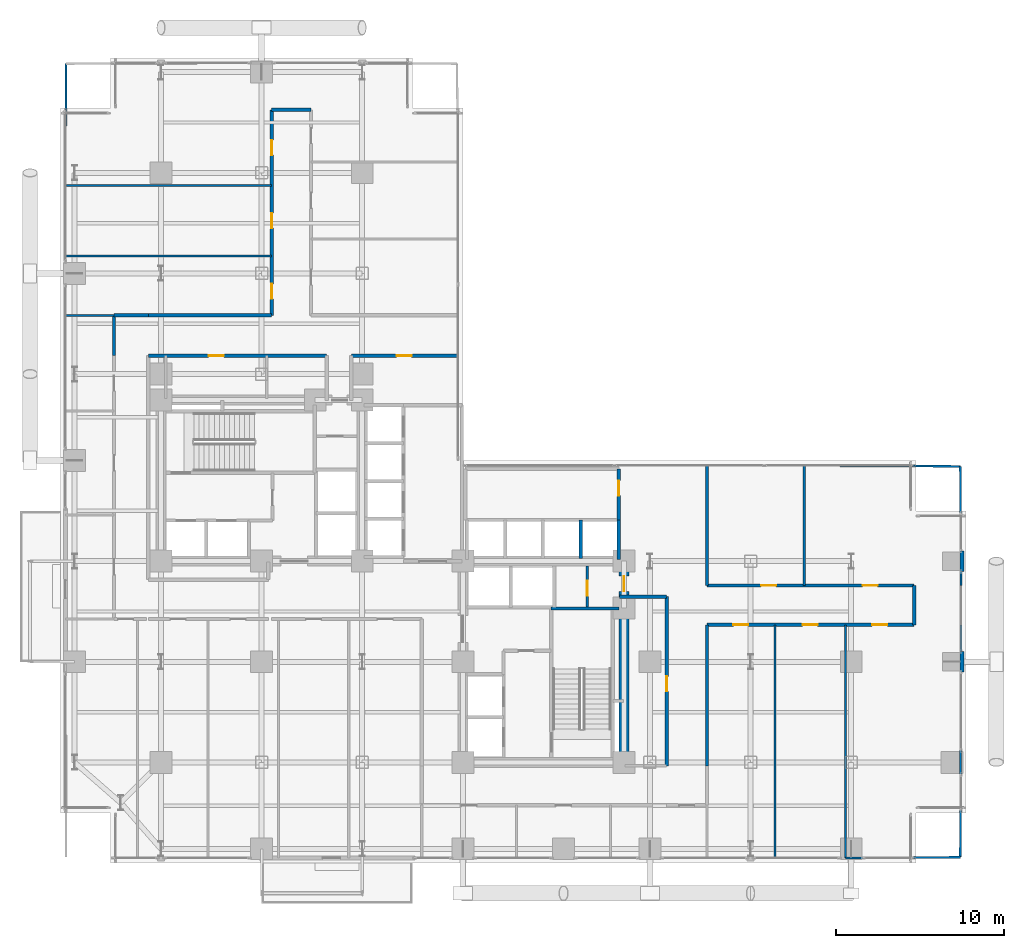
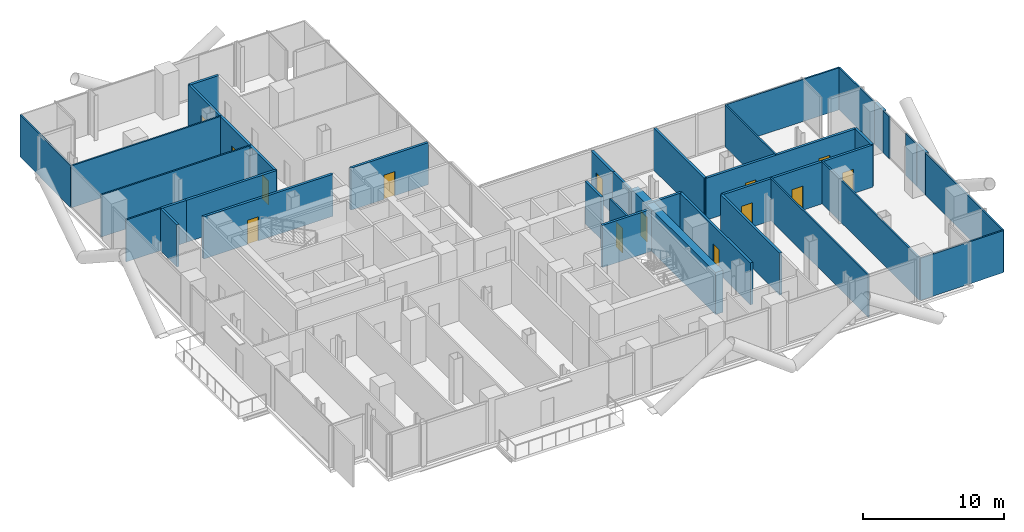
# One storey, part 22 of 25: 35 walls, 14 doors, 14 openings.
"""IFC4 building model written with IfcOpenShell, lengths in metres."""

from ifc_helpers import new_model, si_unit, direction, frame, frame_2d, origin, place, context, subcontext, project, spatial, rectangle, extrude, material, layer, layer_set, type_object, element, fill, save


model = new_model("IFC4")

# Units and contexts
model_context = context("Model", 3, precision=1e-05, world=origin(), true_north=direction((0.0, 1.0)))
body_context = subcontext(model_context, "Body", "Model", "MODEL_VIEW")
ifc_project = project(units=[si_unit("LENGTHUNIT", "METRE"), si_unit("AREAUNIT", "SQUARE_METRE"), si_unit("VOLUMEUNIT", "CUBIC_METRE"), si_unit("PLANEANGLEUNIT", "RADIAN"), si_unit("MASSUNIT", "GRAM", prefix="KILO"), si_unit("THERMODYNAMICTEMPERATUREUNIT", "KELVIN"), si_unit("POWERUNIT", "WATT")], contexts=[model_context])

# Site, building, storey
site_placement = place(None, origin())
site = spatial("IfcSite", under=ifc_project, at=site_placement, CompositionType="ELEMENT")
building_placement = place(site_placement, origin())
building = spatial("IfcBuilding", under=site, at=building_placement, Name="Svarakhadi Broadcast Tower", CompositionType="ELEMENT")
storey_placement = place(building_placement, frame((0.0, 0.0, 51.89990234375)))
storey = spatial("IfcBuildingStorey", under=building, at=storey_placement, Name="L11", CompositionType="ELEMENT", Elevation=51.89990234375)

# Wall, opening, door
ifc_material_1 = material(Name="Double-Stud Acoustic Studio Partition STC-62", Category="gypsum")
ifc_layer_1 = layer(ifc_material_1, 0.199951171875)
ifc_layer_set_1 = layer_set([ifc_layer_1], Name="Double-Stud Acoustic Studio Partition STC-62")
wall_type_1 = type_object("IfcWallType", Name="Wall_Acoust_200", PredefinedType="PARTITIONING", material=ifc_layer_set_1)
wall_1_placement = place(storey_placement, frame((36.14990234375, 5.800048828125, 0.0), z_axis=(0.0, 0.0, 1.0), x_axis=(0.0, 1.0, 0.0)))
wall_1 = element("IfcWall", 1, at=wall_1_placement, inside=storey, type_object=wall_type_1, Name="L11 Broadcast Corridor Wall", PredefinedType="PARTITIONING", context=body_context, shape_type="SweptSolid", body=[
    extrude(rectangle(XDim=10.079833984375, YDim=0.199951171875, at=frame_2d((5.0400390625, 0.0))), origin(), (0.0, 0.0, 1.0), 3.650146484375),
])
opening_1_placement = place(wall_1_placement, frame((4.429931640625, 0.0, 0.0)))
opening_1 = element("IfcOpeningElement", 2, at=opening_1_placement, cuts=wall_1, Name="Opening D-14", PredefinedType="OPENING", context=body_context, shape_type="SweptSolid", body=[
    extrude(rectangle(XDim=0.89990234375, YDim=2.10009765625, at=frame_2d((0.449951171875, 1.050048828125))), frame((0.0, 0.10986328125, 0.0), z_axis=(0.0, -1.0, 0.0), x_axis=(1.0, 0.0, 0.0)), (0.0, 0.0, 1.0), 0.219970703125),
])
ifc_material_2 = material(Name="Solid-Core Teak Veneer Acoustic Timber Leaf", Category="wood")
door_type_1 = type_object("IfcDoorType", Name="Door_Int_D14", OperationType="SINGLE_SWING_LEFT", PredefinedType="DOOR", material=ifc_material_2)
door_1_placement = place(opening_1_placement, origin())
door_1 = element("IfcDoor", 3, at=door_1_placement, inside=storey, type_object=door_type_1, Name="L11 Live Feed Monitoring Studio Door", OperationType="SINGLE_SWING_LEFT", OverallHeight=2.10009765625, OverallWidth=0.89990234375, PredefinedType="DOOR", context=body_context, shape_type="SweptSolid", body=[
    extrude(rectangle(XDim=0.89990234375, YDim=2.10009765625, at=frame_2d((0.449951171875, 1.050048828125))), frame((0.0, 0.02490234375, 0.0), z_axis=(0.0, -1.0, 0.0), x_axis=(1.0, 0.0, 0.0)), (0.0, 0.0, 1.0), 0.050048828125),
])
fill(opening_1, door_1)

# Walls
wall_2_placement = place(storey_placement, frame((36.14990234375, 15.8798828125, 0.0), z_axis=(0.0, 0.0, 1.0), x_axis=(-1.0, 0.0, 0.0)))
element("IfcWall", 4, at=wall_2_placement, inside=storey, type_object=wall_type_1, Name="L11 Broadcast Corridor Wall", PredefinedType="PARTITIONING", context=body_context, shape_type="SweptSolid", body=[
    extrude(rectangle(XDim=2.809814453125, YDim=0.199951171875, at=frame_2d((1.40478515625, 0.0))), origin(), (0.0, 0.0, 1.0), 3.650146484375),
])
wall_3_placement = place(storey_placement, frame((38.550048828125, 23.699951171875, 0.0), z_axis=(0.0, 0.0, 1.0), x_axis=(0.0, -1.0, 0.0)))
element("IfcWall", 5, at=wall_3_placement, inside=storey, type_object=wall_type_1, Name="L11 Broadcast Corridor Wall", PredefinedType="PARTITIONING", context=body_context, shape_type="SweptSolid", body=[
    extrude(rectangle(XDim=7.14990234375, YDim=0.199951171875, at=frame_2d((3.574951171875, 0.0))), origin(), (0.0, 0.0, 1.0), 3.650146484375),
])

# Wall, openings, doors
wall_4_placement = place(storey_placement, frame((38.550048828125, 16.550048828125, 0.0), z_axis=(0.0, 0.0, 1.0), x_axis=(1.0, 0.0, 0.0)))
wall_4 = element("IfcWall", 6, at=wall_4_placement, inside=storey, type_object=wall_type_1, Name="L11 Broadcast Corridor Wall", PredefinedType="PARTITIONING", context=body_context, shape_type="SweptSolid", body=[
    extrude(rectangle(XDim=12.349853515625, YDim=0.199951171875, at=frame_2d((6.1748046875, 0.0))), origin(), (0.0, 0.0, 1.0), 3.650146484375),
])
opening_2_placement = place(wall_4_placement, frame((3.22998046875, 0.0, 0.0)))
opening_2 = element("IfcOpeningElement", 7, at=opening_2_placement, cuts=wall_4, Name="Opening D-14", PredefinedType="OPENING", context=body_context, shape_type="SweptSolid", body=[
    extrude(rectangle(XDim=0.89990234375, YDim=2.10009765625, at=frame_2d((0.449951171875, 1.050048828125))), frame((0.0, 0.10986328125, 0.0), z_axis=(0.0, -1.0, 0.0), x_axis=(1.0, 0.0, 0.0)), (0.0, 0.0, 1.0), 0.219970703125),
])
opening_3_placement = place(wall_4_placement, frame((9.280029296875, 0.0, 0.0)))
opening_3 = element("IfcOpeningElement", 8, at=opening_3_placement, cuts=wall_4, Name="Opening D-15", PredefinedType="OPENING", context=body_context, shape_type="SweptSolid", body=[
    extrude(rectangle(XDim=0.89990234375, YDim=2.10009765625, at=frame_2d((0.449951171875, 1.050048828125))), frame((0.0, 0.10986328125, 0.0), z_axis=(0.0, -1.0, 0.0), x_axis=(1.0, 0.0, 0.0)), (0.0, 0.0, 1.0), 0.219970703125),
])
door_2_placement = place(opening_2_placement, origin())
door_2 = element("IfcDoor", 9, at=door_2_placement, inside=storey, type_object=door_type_1, Name="L11 Broadcast Acoustic Booth Door", OperationType="SINGLE_SWING_LEFT", OverallHeight=2.10009765625, OverallWidth=0.89990234375, PredefinedType="DOOR", context=body_context, shape_type="SweptSolid", body=[
    extrude(rectangle(XDim=0.89990234375, YDim=2.10009765625, at=frame_2d((0.449951171875, 1.050048828125))), frame((0.0, 0.02490234375, 0.0), z_axis=(0.0, -1.0, 0.0), x_axis=(1.0, 0.0, 0.0)), (0.0, 0.0, 1.0), 0.050048828125),
])
fill(opening_2, door_2)
door_type_2 = type_object("IfcDoorType", Name="Door_Int_D15", OperationType="SINGLE_SWING_RIGHT", PredefinedType="DOOR", material=ifc_material_2)
door_3_placement = place(opening_3_placement, origin())
door_3 = element("IfcDoor", 10, at=door_3_placement, inside=storey, type_object=door_type_2, Name="L11 Broadcast Equipment Operations Room Door", OperationType="SINGLE_SWING_RIGHT", OverallHeight=2.10009765625, OverallWidth=0.89990234375, PredefinedType="DOOR", context=body_context, shape_type="SweptSolid", body=[
    extrude(rectangle(XDim=0.89990234375, YDim=2.10009765625, at=frame_2d((0.449951171875, 1.050048828125))), frame((0.0, 0.02490234375, 0.0), z_axis=(0.0, -1.0, 0.0), x_axis=(1.0, 0.0, 0.0)), (0.0, 0.0, 1.0), 0.050048828125),
])
fill(opening_3, door_3)

# Wall
wall_5_placement = place(storey_placement, frame((50.89990234375, 16.550048828125, 0.0), z_axis=(0.0, 0.0, 1.0), x_axis=(0.0, -1.0, 0.0)))
element("IfcWall", 11, at=wall_5_placement, inside=storey, type_object=wall_type_1, Name="L11 Broadcast Corridor Wall", PredefinedType="PARTITIONING", context=body_context, shape_type="SweptSolid", body=[
    extrude(rectangle(XDim=2.35009765625, YDim=0.199951171875, at=frame_2d((1.175048828125, 0.0))), origin(), (0.0, 0.0, 1.0), 3.650146484375),
])

# Wall, openings, doors
wall_6_placement = place(storey_placement, frame((50.89990234375, 14.199951171875, 0.0), z_axis=(0.0, 0.0, 1.0), x_axis=(-1.0, 0.0, 0.0)))
wall_6 = element("IfcWall", 12, at=wall_6_placement, inside=storey, type_object=wall_type_1, Name="L11 Broadcast Corridor Wall", PredefinedType="PARTITIONING", context=body_context, shape_type="SweptSolid", body=[
    extrude(rectangle(XDim=12.349853515625, YDim=0.199951171875, at=frame_2d((6.1748046875, 0.0))), origin(), (0.0, 0.0, 1.0), 3.650146484375),
])
opening_4_placement = place(wall_6_placement, frame((9.875, 0.0, 0.0)))
opening_4 = element("IfcOpeningElement", 13, at=opening_4_placement, cuts=wall_6, Name="Opening D-14", PredefinedType="OPENING", context=body_context, shape_type="SweptSolid", body=[
    extrude(rectangle(XDim=0.89990234375, YDim=2.10009765625, at=frame_2d((0.449951171875, 1.050048828125))), frame((0.0, 0.10986328125, 0.0), z_axis=(0.0, -1.0, 0.0), x_axis=(1.0, 0.0, 0.0)), (0.0, 0.0, 1.0), 0.219970703125),
])
opening_5_placement = place(wall_6_placement, frame((5.75, 0.0, 0.0)))
opening_5 = element("IfcOpeningElement", 14, at=opening_5_placement, cuts=wall_6, Name="Opening D-15", PredefinedType="OPENING", context=body_context, shape_type="SweptSolid", body=[
    extrude(rectangle(XDim=0.89990234375, YDim=2.10009765625, at=frame_2d((0.449951171875, 1.050048828125))), frame((0.0, 0.10986328125, 0.0), z_axis=(0.0, -1.0, 0.0), x_axis=(1.0, 0.0, 0.0)), (0.0, 0.0, 1.0), 0.219970703125),
])
opening_6_placement = place(wall_6_placement, frame((1.60009765625, 0.0, 0.0)))
opening_6 = element("IfcOpeningElement", 15, at=opening_6_placement, cuts=wall_6, Name="Opening D-14", PredefinedType="OPENING", context=body_context, shape_type="SweptSolid", body=[
    extrude(rectangle(XDim=0.89990234375, YDim=2.10009765625, at=frame_2d((0.449951171875, 1.050048828125))), frame((0.0, 0.10986328125, 0.0), z_axis=(0.0, -1.0, 0.0), x_axis=(1.0, 0.0, 0.0)), (0.0, 0.0, 1.0), 0.219970703125),
])
door_4_placement = place(opening_4_placement, origin())
door_4 = element("IfcDoor", 16, at=door_4_placement, inside=storey, type_object=door_type_1, Name="L11 Ingest Pod A Door", OperationType="SINGLE_SWING_LEFT", OverallHeight=2.10009765625, OverallWidth=0.89990234375, PredefinedType="DOOR", context=body_context, shape_type="SweptSolid", body=[
    extrude(rectangle(XDim=0.89990234375, YDim=2.10009765625, at=frame_2d((0.449951171875, 1.050048828125))), frame((0.0, 0.02490234375, 0.0), z_axis=(0.0, -1.0, 0.0), x_axis=(1.0, 0.0, 0.0)), (0.0, 0.0, 1.0), 0.050048828125),
])
fill(opening_4, door_4)
door_5_placement = place(opening_6_placement, origin())
door_5 = element("IfcDoor", 17, at=door_5_placement, inside=storey, type_object=door_type_1, Name="L11 QC Review Pod Door", OperationType="SINGLE_SWING_LEFT", OverallHeight=2.10009765625, OverallWidth=0.89990234375, PredefinedType="DOOR", context=body_context, shape_type="SweptSolid", body=[
    extrude(rectangle(XDim=0.89990234375, YDim=2.10009765625, at=frame_2d((0.449951171875, 1.050048828125))), frame((0.0, 0.02490234375, 0.0), z_axis=(0.0, -1.0, 0.0), x_axis=(1.0, 0.0, 0.0)), (0.0, 0.0, 1.0), 0.050048828125),
])
fill(opening_6, door_5)
door_6_placement = place(opening_5_placement, origin())
door_6 = element("IfcDoor", 18, at=door_6_placement, inside=storey, type_object=door_type_2, Name="L11 Ingest Pod B Door", OperationType="SINGLE_SWING_RIGHT", OverallHeight=2.10009765625, OverallWidth=0.89990234375, PredefinedType="DOOR", context=body_context, shape_type="SweptSolid", body=[
    extrude(rectangle(XDim=0.89990234375, YDim=2.10009765625, at=frame_2d((0.449951171875, 1.050048828125))), frame((0.0, 0.02490234375, 0.0), z_axis=(0.0, -1.0, 0.0), x_axis=(1.0, 0.0, 0.0)), (0.0, 0.0, 1.0), 0.050048828125),
])
fill(opening_5, door_6)

# Walls
wall_7_placement = place(storey_placement, frame((38.550048828125, 14.199951171875, 0.0), z_axis=(0.0, 0.0, 1.0), x_axis=(0.0, -1.0, 0.0)))
element("IfcWall", 19, at=wall_7_placement, inside=storey, type_object=wall_type_1, Name="L11 Broadcast Corridor Wall", PredefinedType="PARTITIONING", context=body_context, shape_type="SweptSolid", body=[
    extrude(rectangle(XDim=8.39990234375, YDim=0.199951171875, at=frame_2d((4.199951171875, 0.0))), origin(), (0.0, 0.0, 1.0), 3.650146484375),
])
wall_8_placement = place(storey_placement, frame((3.199951171875, 30.25, 0.0), z_axis=(0.0, 0.0, 1.0), x_axis=(0.0, 1.0, 0.0)))
element("IfcWall", 20, at=wall_8_placement, inside=storey, type_object=wall_type_1, Name="L11 Broadcast Corridor Wall", PredefinedType="PARTITIONING", context=body_context, shape_type="SweptSolid", body=[
    extrude(rectangle(XDim=2.39990234375, YDim=0.199951171875, at=frame_2d((1.199951171875, 0.0))), origin(), (0.0, 0.0, 1.0), 3.650146484375),
])
wall_9_placement = place(storey_placement, frame((3.199951171875, 32.64990234375, 0.0), z_axis=(0.0, 0.0, 1.0), x_axis=(1.0, 0.0, 0.0)))
element("IfcWall", 21, at=wall_9_placement, inside=storey, type_object=wall_type_1, Name="L11 Broadcast Corridor Wall", PredefinedType="PARTITIONING", context=body_context, shape_type="SweptSolid", body=[
    extrude(rectangle(XDim=2.050048828125, YDim=0.199951171875, at=frame_2d((1.02490234375, 0.0))), origin(), (0.0, 0.0, 1.0), 3.650146484375),
])
wall_10_placement = place(storey_placement, frame((5.25, 32.64990234375, 0.0), z_axis=(0.0, 0.0, 1.0), x_axis=(1.0, 0.0, 0.0)))
element("IfcWall", 22, at=wall_10_placement, inside=storey, type_object=wall_type_1, Name="L11 Broadcast Corridor Wall", PredefinedType="PARTITIONING", context=body_context, shape_type="SweptSolid", body=[
    extrude(rectangle(XDim=7.35009765625, YDim=0.199951171875, at=frame_2d((3.675048828125, 0.0))), origin(), (0.0, 0.0, 1.0), 3.650146484375),
])

# Wall, openings, doors
wall_11_placement = place(storey_placement, frame((12.60009765625, 32.64990234375, 0.0), z_axis=(0.0, 0.0, 1.0), x_axis=(0.0, 1.0, 0.0)))
wall_11 = element("IfcWall", 23, at=wall_11_placement, inside=storey, type_object=wall_type_1, Name="L11 Broadcast Corridor Wall", PredefinedType="PARTITIONING", context=body_context, shape_type="SweptSolid", body=[
    extrude(rectangle(XDim=12.25, YDim=0.199951171875, at=frame_2d((6.125, 0.0))), origin(), (0.0, 0.0, 1.0), 3.650146484375),
])
opening_7_placement = place(wall_11_placement, frame((0.97998046875, 0.0, 0.0)))
opening_7 = element("IfcOpeningElement", 24, at=opening_7_placement, cuts=wall_11, Name="Opening D-14", PredefinedType="OPENING", context=body_context, shape_type="SweptSolid", body=[
    extrude(rectangle(XDim=0.89990234375, YDim=2.10009765625, at=frame_2d((0.449951171875, 1.050048828125))), frame((0.0, 0.10986328125, 0.0), z_axis=(0.0, -1.0, 0.0), x_axis=(1.0, 0.0, 0.0)), (0.0, 0.0, 1.0), 0.219970703125),
])
opening_8_placement = place(wall_11_placement, frame((5.199951171875, 0.0, 0.0)))
opening_8 = element("IfcOpeningElement", 25, at=opening_8_placement, cuts=wall_11, Name="Opening D-15", PredefinedType="OPENING", context=body_context, shape_type="SweptSolid", body=[
    extrude(rectangle(XDim=0.89990234375, YDim=2.10009765625, at=frame_2d((0.449951171875, 1.050048828125))), frame((0.0, 0.10986328125, 0.0), z_axis=(0.0, -1.0, 0.0), x_axis=(1.0, 0.0, 0.0)), (0.0, 0.0, 1.0), 0.219970703125),
])
opening_9_placement = place(wall_11_placement, frame((9.550048828125, 0.0, 0.0)))
opening_9 = element("IfcOpeningElement", 26, at=opening_9_placement, cuts=wall_11, Name="Opening D-15", PredefinedType="OPENING", context=body_context, shape_type="SweptSolid", body=[
    extrude(rectangle(XDim=0.89990234375, YDim=2.10009765625, at=frame_2d((0.449951171875, 1.050048828125))), frame((0.0, 0.10986328125, 0.0), z_axis=(0.0, -1.0, 0.0), x_axis=(1.0, 0.0, 0.0)), (0.0, 0.0, 1.0), 0.219970703125),
])
door_7_placement = place(opening_7_placement, origin())
door_7 = element("IfcDoor", 27, at=door_7_placement, inside=storey, type_object=door_type_1, Name="L11 Sound Foley Room Door", OperationType="SINGLE_SWING_LEFT", OverallHeight=2.10009765625, OverallWidth=0.89990234375, PredefinedType="DOOR", context=body_context, shape_type="SweptSolid", body=[
    extrude(rectangle(XDim=0.89990234375, YDim=2.10009765625, at=frame_2d((0.449951171875, 1.050048828125))), frame((0.0, 0.02490234375, 0.0), z_axis=(0.0, -1.0, 0.0), x_axis=(1.0, 0.0, 0.0)), (0.0, 0.0, 1.0), 0.050048828125),
])
fill(opening_7, door_7)
door_8_placement = place(opening_8_placement, origin())
door_8 = element("IfcDoor", 28, at=door_8_placement, inside=storey, type_object=door_type_2, Name="L11 ADR Vocal Room Door", OperationType="SINGLE_SWING_RIGHT", OverallHeight=2.10009765625, OverallWidth=0.89990234375, PredefinedType="DOOR", context=body_context, shape_type="SweptSolid", body=[
    extrude(rectangle(XDim=0.89990234375, YDim=2.10009765625, at=frame_2d((0.449951171875, 1.050048828125))), frame((0.0, 0.02490234375, 0.0), z_axis=(0.0, -1.0, 0.0), x_axis=(1.0, 0.0, 0.0)), (0.0, 0.0, 1.0), 0.050048828125),
])
fill(opening_8, door_8)
door_9_placement = place(opening_9_placement, origin())
door_9 = element("IfcDoor", 29, at=door_9_placement, inside=storey, type_object=door_type_2, Name="L11 Mastering Studio Door", OperationType="SINGLE_SWING_RIGHT", OverallHeight=2.10009765625, OverallWidth=0.89990234375, PredefinedType="DOOR", context=body_context, shape_type="SweptSolid", body=[
    extrude(rectangle(XDim=0.89990234375, YDim=2.10009765625, at=frame_2d((0.449951171875, 1.050048828125))), frame((0.0, 0.02490234375, 0.0), z_axis=(0.0, -1.0, 0.0), x_axis=(1.0, 0.0, 0.0)), (0.0, 0.0, 1.0), 0.050048828125),
])
fill(opening_9, door_9)

# Wall
wall_12_placement = place(storey_placement, frame((12.60009765625, 44.89990234375, 0.0), z_axis=(0.0, 0.0, 1.0), x_axis=(1.0, 0.0, 0.0)))
element("IfcWall", 30, at=wall_12_placement, inside=storey, type_object=wall_type_1, Name="L11 Broadcast Corridor Wall", PredefinedType="PARTITIONING", context=body_context, shape_type="SweptSolid", body=[
    extrude(rectangle(XDim=2.349853515625, YDim=0.199951171875, at=frame_2d((1.1748046875, 0.0))), origin(), (0.0, 0.0, 1.0), 3.650146484375),
])

# Wall, opening, door
wall_13_placement = place(storey_placement, frame((23.699951171875, 30.25, 0.0), z_axis=(0.0, 0.0, 1.0), x_axis=(-1.0, 0.0, 0.0)))
wall_13 = element("IfcWall", 31, at=wall_13_placement, inside=storey, type_object=wall_type_1, Name="L11 Broadcast Corridor Wall", PredefinedType="PARTITIONING", context=body_context, shape_type="SweptSolid", body=[
    extrude(rectangle(XDim=6.349853515625, YDim=0.199951171875, at=frame_2d((3.1748046875, 0.0))), origin(), (0.0, 0.0, 1.0), 3.650146484375),
])
opening_10_placement = place(wall_13_placement, frame((2.75, 0.0, 0.0)))
opening_10 = element("IfcOpeningElement", 32, at=opening_10_placement, cuts=wall_13, Name="Opening D-14", PredefinedType="OPENING", context=body_context, shape_type="SweptSolid", body=[
    extrude(rectangle(XDim=0.89990234375, YDim=2.10009765625, at=frame_2d((0.449951171875, 1.050048828125))), frame((0.0, 0.10986328125, 0.0), z_axis=(0.0, -1.0, 0.0), x_axis=(1.0, 0.0, 0.0)), (0.0, 0.0, 1.0), 0.219970703125),
])
door_10_placement = place(opening_10_placement, origin())
door_10 = element("IfcDoor", 33, at=door_10_placement, inside=storey, type_object=door_type_1, Name="L11 Production Continuity Office Door", OperationType="SINGLE_SWING_LEFT", OverallHeight=2.10009765625, OverallWidth=0.89990234375, PredefinedType="DOOR", context=body_context, shape_type="SweptSolid", body=[
    extrude(rectangle(XDim=0.89990234375, YDim=2.10009765625, at=frame_2d((0.449951171875, 1.050048828125))), frame((0.0, 0.02490234375, 0.0), z_axis=(0.0, -1.0, 0.0), x_axis=(1.0, 0.0, 0.0)), (0.0, 0.0, 1.0), 0.050048828125),
])
fill(opening_10, door_10)

wall_14_placement = place(storey_placement, frame((15.8798828125, 30.25, 0.0), z_axis=(0.0, 0.0, 1.0), x_axis=(-1.0, 0.0, 0.0)))
wall_14 = element("IfcWall", 34, at=wall_14_placement, inside=storey, type_object=wall_type_1, Name="L11 Broadcast Corridor Wall", PredefinedType="PARTITIONING", context=body_context, shape_type="SweptSolid", body=[
    extrude(rectangle(XDim=10.6298828125, YDim=0.199951171875, at=frame_2d((5.31494140625, 0.0))), origin(), (0.0, 0.0, 1.0), 3.650146484375),
])
opening_11_placement = place(wall_14_placement, frame((6.1298828125, 0.0, 0.0)))
opening_11 = element("IfcOpeningElement", 35, at=opening_11_placement, cuts=wall_14, Name="Opening D-13", PredefinedType="OPENING", context=body_context, shape_type="SweptSolid", body=[
    extrude(rectangle(XDim=0.89990234375, YDim=2.10009765625, at=frame_2d((0.449951171875, 1.050048828125))), frame((0.0, 0.10986328125, 0.0), z_axis=(0.0, -1.0, 0.0), x_axis=(1.0, 0.0, 0.0)), (0.0, 0.0, 1.0), 0.219970703125),
])
door_type_3 = type_object("IfcDoorType", Name="Door_Closet_D13", OperationType="SINGLE_SWING_RIGHT", PredefinedType="DOOR", material=ifc_material_2)
door_11_placement = place(opening_11_placement, origin())
door_11 = element("IfcDoor", 36, at=door_11_placement, inside=storey, type_object=door_type_3, Name="L11 Accessible Toilet WC Door", OperationType="SINGLE_SWING_RIGHT", OverallHeight=2.10009765625, OverallWidth=0.89990234375, PredefinedType="DOOR", context=body_context, shape_type="SweptSolid", body=[
    extrude(rectangle(XDim=0.89990234375, YDim=2.10009765625, at=frame_2d((0.449951171875, 1.050048828125))), frame((0.0, 0.02490234375, 0.0), z_axis=(0.0, -1.0, 0.0), x_axis=(1.0, 0.0, 0.0)), (0.0, 0.0, 1.0), 0.050048828125),
])
fill(opening_11, door_11)

# Walls
ifc_material_3 = material(Name="Concrete C40/50 (IS 456 M50)", Category="concrete")
ifc_layer_2 = layer(ifc_material_3, 0.239990234375)
ifc_layer_set_2 = layer_set([ifc_layer_2], Name="Concrete C40/50 (IS 456 M50)")
wall_type_2 = type_object("IfcWallType", Name="Wall_Ext_240", PredefinedType="SOLIDWALL", material=ifc_layer_set_2)
for number, where, z_axis, x_axis, name in (
    (37, (53.760009765625, 18.614990234375, 0.0), (0.0, 0.0, 1.0), (0.0, -1.0, 0.0), "L11 Perimeter Bronze Spandrel Closure Wall 03"),
    (38, (53.760009765625, 12.614990234375, 0.0), (0.0, 0.0, 1.0), (0.0, -1.0, 0.0), "L11 Perimeter Bronze Spandrel Closure Wall 04"),
):
    element("IfcWall", number, at=place(storey_placement, frame(where, z_axis=z_axis, x_axis=x_axis)), inside=storey, type_object=wall_type_2, Name=name, PredefinedType="SOLIDWALL", context=body_context, shape_type="SweptSolid", body=[
        extrude(rectangle(XDim=1.22998046875, YDim=0.239990234375, at=frame_2d((0.614990234375, 0.0))), origin(), (0.0, 0.0, 1.0), 3.650146484375),
    ])
ifc_material_4 = material(Name="Fire-Rated Moisture-Resistant Gypsum Board Partition", Category="gypsum")
ifc_layer_3 = layer(ifc_material_4, 0.125)
ifc_layer_set_3 = layer_set([ifc_layer_3], Name="Fire-Rated Moisture-Resistant Gypsum Board Partition")
wall_type_3 = type_object("IfcWallType", Name="Wall_Part_125", PredefinedType="PARTITIONING", material=ifc_layer_set_3)
for number, where, z_axis, x_axis, name in (
    (39, (42.60009765625, 0.300048828125, 0.0), (0.0, 0.0, 1.0), (0.0, 1.0, 0.0), "L11 Ingest Pod A Wall"),
    (40, (46.800048828125, 0.300048828125, 0.0), (0.0, 0.0, 1.0), (0.0, 1.0, 0.0), "L11 Ingest Pod B Wall"),
):
    element("IfcWall", number, at=place(storey_placement, frame(where, z_axis=z_axis, x_axis=x_axis)), inside=storey, type_object=wall_type_3, Name=name, PredefinedType="PARTITIONING", context=body_context, shape_type="SweptSolid", body=[
        extrude(rectangle(XDim=13.89990234375, YDim=0.125, at=frame_2d((6.949951171875, 0.0))), origin(), (0.0, 0.0, 1.0), 3.650146484375),
    ])
wall_15_placement = place(storey_placement, frame((46.800048828125, 0.300048828125, 0.0), z_axis=(0.0, 0.0, 1.0), x_axis=(0.999973308199, 0.007306359489, 0.0)))
element("IfcWall", 41, at=wall_15_placement, inside=storey, type_object=wall_type_3, Name="L11 QC Review Pod Wall", PredefinedType="PARTITIONING", context=body_context, shape_type="SweptSolid", body=[
    extrude(rectangle(XDim=6.85009765625, YDim=0.125, at=frame_2d((3.425048828125, 0.0))), origin(), (0.0, 0.0, 1.0), 3.650146484375),
])
wall_16_placement = place(storey_placement, frame((53.64990234375, 0.35009765625, 0.0), z_axis=(0.0, 0.0, 1.0), x_axis=(0.003606251025, 0.999993497456, 0.0)))
element("IfcWall", 42, at=wall_16_placement, inside=storey, type_object=wall_type_3, Name="L11 QC Review Pod Wall", PredefinedType="PARTITIONING", context=body_context, shape_type="SweptSolid", body=[
    extrude(rectangle(XDim=11.034912109375, YDim=0.125, at=frame_2d((5.517578125, 0.0))), origin(), (0.0, 0.0, 1.0), 3.650146484375),
])
wall_17_placement = place(storey_placement, frame((53.6943359375, 12.614990234375, 0.0), z_axis=(0.0, 0.0, 1.0), x_axis=(0.003542799701, 0.999993724265, 0.0)))
element("IfcWall", 43, at=wall_17_placement, inside=storey, type_object=wall_type_3, Name="L11 QC Review Pod Wall", PredefinedType="PARTITIONING", context=body_context, shape_type="SweptSolid", body=[
    extrude(rectangle(XDim=1.5849609375, YDim=0.125, at=frame_2d((0.79248046875, 0.0))), origin(), (0.0, 0.0, 1.0), 3.650146484375),
])
wall_18_placement = place(storey_placement, frame((44.35009765625, 16.550048828125, 0.0), z_axis=(0.0, 0.0, 1.0), x_axis=(0.0, 1.0, 0.0)))
element("IfcWall", 44, at=wall_18_placement, inside=storey, type_object=wall_type_3, Name="L11 Broadcast Acoustic Booth Wall", PredefinedType="PARTITIONING", context=body_context, shape_type="SweptSolid", body=[
    extrude(rectangle(XDim=7.14990234375, YDim=0.125, at=frame_2d((3.574951171875, 0.0))), origin(), (0.0, 0.0, 1.0), 3.650146484375),
])
wall_19_placement = place(storey_placement, frame((44.35009765625, 23.699951171875, 0.0), z_axis=(0.0, 0.0, 1.0), x_axis=(0.999985518927, -0.005381629512, 0.0)))
element("IfcWall", 45, at=wall_19_placement, inside=storey, type_object=wall_type_3, Name="L11 Broadcast Equipment Operations Room Wall", PredefinedType="PARTITIONING", context=body_context, shape_type="SweptSolid", body=[
    extrude(rectangle(XDim=9.300048828125, YDim=0.125, at=frame_2d((4.64990234375, 0.0))), origin(), (0.0, 0.0, 1.0), 3.650146484375),
])
wall_20_placement = place(storey_placement, frame((53.699951171875, 16.550048828125, 0.0), z_axis=(0.0, 0.0, 1.0), x_axis=(-0.007017371073, 0.999975377948, 0.0)))
element("IfcWall", 46, at=wall_20_placement, inside=storey, type_object=wall_type_3, Name="L11 Broadcast Equipment Operations Room Wall", PredefinedType="PARTITIONING", context=body_context, shape_type="SweptSolid", body=[
    extrude(rectangle(XDim=0.8349609375, YDim=0.125, at=frame_2d((0.41748046875, 0.0))), origin(), (0.0, 0.0, 1.0), 3.650146484375),
])
wall_21_placement = place(storey_placement, frame((53.685546875, 18.614990234375, 0.0), z_axis=(0.0, 0.0, 1.0), x_axis=(-0.007079296972, 0.999974941463, 0.0)))
element("IfcWall", 47, at=wall_21_placement, inside=storey, type_object=wall_type_3, Name="L11 Broadcast Equipment Operations Room Wall", PredefinedType="PARTITIONING", context=body_context, shape_type="SweptSolid", body=[
    extrude(rectangle(XDim=5.03515625, YDim=0.125, at=frame_2d((2.517578125, 0.0))), origin(), (0.0, 0.0, 1.0), 3.650146484375),
])
for number, where, z_axis, x_axis, name in (
    (48, (0.300048828125, 36.199951171875, 0.0), (0.0, 0.0, 1.0), (1.0, 0.0, 0.0), "L11 Sound Foley Room Wall"),
    (49, (0.300048828125, 40.39990234375, 0.0), (0.0, 0.0, 1.0), (1.0, 0.0, 0.0), "L11 ADR Vocal Room Wall"),
):
    element("IfcWall", number, at=place(storey_placement, frame(where, z_axis=z_axis, x_axis=x_axis)), inside=storey, type_object=wall_type_3, Name=name, PredefinedType="PARTITIONING", context=body_context, shape_type="SweptSolid", body=[
        extrude(rectangle(XDim=12.300048828125, YDim=0.125, at=frame_2d((6.14990234375, 0.0))), origin(), (0.0, 0.0, 1.0), 3.650146484375),
    ])
wall_22_placement = place(storey_placement, frame((0.300048828125, 40.39990234375, 0.0), z_axis=(0.0, 0.0, 1.0), x_axis=(0.006903122154, 0.999976173168, 0.0)))
element("IfcWall", 50, at=wall_22_placement, inside=storey, type_object=wall_type_3, Name="L11 Mastering Studio Wall", PredefinedType="PARTITIONING", context=body_context, shape_type="SweptSolid", body=[
    extrude(rectangle(XDim=7.250244140625, YDim=0.125, at=frame_2d((3.625, 0.0))), origin(), (0.0, 0.0, 1.0), 3.650146484375),
])
wall_23_placement = place(storey_placement, frame((0.300048828125, 32.64990234375, 0.0), z_axis=(0.0, 0.0, 1.0), x_axis=(1.0, 0.0, 0.0)))
element("IfcWall", 51, at=wall_23_placement, inside=storey, type_object=wall_type_3, Name="L11 Producer Quiet Lounge Wall", PredefinedType="PARTITIONING", context=body_context, shape_type="SweptSolid", body=[
    extrude(rectangle(XDim=2.89990234375, YDim=0.125, at=frame_2d((1.449951171875, 0.0))), origin(), (0.0, 0.0, 1.0), 3.650146484375),
])

# Wall, opening, door
ifc_material_5 = material(Name="Autoclaved Aerated Concrete Blockwork 150 mm", Category="masonry")
ifc_layer_4 = layer(ifc_material_5, 0.14990234375)
ifc_layer_set_4 = layer_set([ifc_layer_4], Name="Autoclaved Aerated Concrete Blockwork 150 mm")
wall_type_4 = type_object("IfcWallType", Name="Wall_Part_150", PredefinedType="PARTITIONING", material=ifc_layer_set_4)
wall_24_placement = place(storey_placement, frame((31.419921875, 15.280029296875, 0.0), z_axis=(0.0, 0.0, 1.0), x_axis=(0.0, 1.0, 0.0)))
wall_24 = element("IfcWall", 52, at=wall_24_placement, inside=storey, type_object=wall_type_4, Name="L11 East Core Dual Store Wall", PredefinedType="PARTITIONING", context=body_context, shape_type="SweptSolid", body=[
    extrude(rectangle(XDim=2.419921875, YDim=0.14990234375, at=frame_2d((1.2099609375, 0.0))), origin(), (0.0, 0.0, 1.0), 3.650146484375),
])
opening_12_placement = place(wall_24_placement, frame((0.64990234375, 0.0, 0.0)))
opening_12 = element("IfcOpeningElement", 53, at=opening_12_placement, cuts=wall_24, Name="Opening D-03", PredefinedType="OPENING", context=body_context, shape_type="SweptSolid", body=[
    extrude(rectangle(XDim=0.89990234375, YDim=2.14990234375, at=frame_2d((0.449951171875, 1.074951171875))), frame((0.0, 0.0849609375, 0.0), z_axis=(0.0, -1.0, 0.0), x_axis=(1.0, 0.0, 0.0)), (0.0, 0.0, 1.0), 0.169921875),
])
ifc_material_6 = material(Name="Galvanised Powder-Coated Fire-Rated Steel Leaf", Category="steel")
door_type_4 = type_object("IfcDoorType", Name="Door_Fire_D03", OperationType="SINGLE_SWING_LEFT", PredefinedType="DOOR", material=ifc_material_6)
door_12_placement = place(opening_12_placement, origin())
door_12 = element("IfcDoor", 54, at=door_12_placement, inside=storey, type_object=door_type_4, Name="L11 East Core Store B Door", OperationType="SINGLE_SWING_LEFT", OverallHeight=2.14990234375, OverallWidth=0.89990234375, PredefinedType="DOOR", context=body_context, shape_type="SweptSolid", body=[
    extrude(rectangle(XDim=0.89990234375, YDim=2.14990234375, at=frame_2d((0.449951171875, 1.074951171875))), frame((0.0, 0.02490234375, 0.0), z_axis=(0.0, -1.0, 0.0), x_axis=(1.0, 0.0, 0.0)), (0.0, 0.0, 1.0), 0.050048828125),
])
fill(opening_12, door_12)

# Walls
ifc_material_7 = material(Name="Concrete C50/60 (IS 456 M60)", Category="concrete")
ifc_layer_5 = layer(ifc_material_7, 0.199951171875)
ifc_layer_set_5 = layer_set([ifc_layer_5], Name="Concrete C50/60 (IS 456 M60)")
wall_type_5 = type_object("IfcWallType", Name="Wall_Shear_200", PredefinedType="SHEAR", material=ifc_layer_set_5)
wall_25_placement = place(storey_placement, frame((29.260009765625, 15.179931640625, 0.0), z_axis=(0.0, 0.0, 1.0), x_axis=(1.0, 0.0, 0.0)))
element("IfcWall", 55, at=wall_25_placement, inside=storey, type_object=wall_type_5, Name="L11 Stair ST-02 North RC Shaft Wall", PredefinedType="SHEAR", context=body_context, shape_type="SweptSolid", body=[
    extrude(rectangle(XDim=4.0400390625, YDim=0.199951171875, at=frame_2d((2.02001953125, 0.0))), origin(), (0.0, 0.0, 1.0), 3.650146484375),
])
wall_26_placement = place(storey_placement, frame((33.300048828125, 18.10009765625, 0.0), z_axis=(0.0, 0.0, 1.0), x_axis=(0.0, 1.0, 0.0)))
element("IfcWall", 56, at=wall_26_placement, inside=storey, type_object=wall_type_5, Name="L11 Bank B East Shaft Wall", PredefinedType="SHEAR", context=body_context, shape_type="SweptSolid", body=[
    extrude(rectangle(XDim=2.349853515625, YDim=0.199951171875, at=frame_2d((1.1748046875, 0.0))), origin(), (0.0, 0.0, 1.0), 3.650146484375),
])
wall_27_placement = place(storey_placement, frame((31.02001953125, 18.14990234375, 0.0), z_axis=(0.0, 0.0, 1.0), x_axis=(0.0, 1.0, 0.0)))
element("IfcWall", 57, at=wall_27_placement, inside=storey, type_object=wall_type_5, Name="L11 Bank B Divider", PredefinedType="SHEAR", context=body_context, shape_type="SweptSolid", body=[
    extrude(rectangle(XDim=2.300048828125, YDim=0.199951171875, at=frame_2d((1.14990234375, 0.0))), origin(), (0.0, 0.0, 1.0), 3.650146484375),
])

# Wall, opening, door
wall_28_placement = place(storey_placement, frame((33.300048828125, 20.449951171875, 0.0), z_axis=(0.0, 0.0, 1.0), x_axis=(0.0, 1.0, 0.0)))
wall_28 = element("IfcWall", 58, at=wall_28_placement, inside=storey, type_object=wall_type_5, Name="L11 Bank B Lift Hall East Wall", PredefinedType="SHEAR", context=body_context, shape_type="SweptSolid", body=[
    extrude(rectangle(XDim=3.050048828125, YDim=0.199951171875, at=frame_2d((1.52490234375, 0.0))), origin(), (0.0, 0.0, 1.0), 3.650146484375),
])
opening_13_placement = place(wall_28_placement, frame((1.449951171875, 0.0, 0.0)))
opening_13 = element("IfcOpeningElement", 59, at=opening_13_placement, cuts=wall_28, Name="Opening D-03", PredefinedType="OPENING", context=body_context, shape_type="SweptSolid", body=[
    extrude(rectangle(XDim=0.89990234375, YDim=2.14990234375, at=frame_2d((0.449951171875, 1.074951171875))), frame((0.0, 0.10986328125, 0.0), z_axis=(0.0, -1.0, 0.0), x_axis=(1.0, 0.0, 0.0)), (0.0, 0.0, 1.0), 0.219970703125),
])
door_13_placement = place(opening_13_placement, origin())
door_13 = element("IfcDoor", 60, at=door_13_placement, inside=storey, type_object=door_type_4, Name="L11 Mid-Rise Lift Hall East Corridor Door", OperationType="SINGLE_SWING_LEFT", OverallHeight=2.14990234375, OverallWidth=0.89990234375, PredefinedType="DOOR", context=body_context, shape_type="SweptSolid", body=[
    extrude(rectangle(XDim=0.89990234375, YDim=2.14990234375, at=frame_2d((0.449951171875, 1.074951171875))), frame((0.0, 0.02490234375, 0.0), z_axis=(0.0, -1.0, 0.0), x_axis=(1.0, 0.0, 0.0)), (0.0, 0.0, 1.0), 0.050048828125),
])
fill(opening_13, door_13)

ifc_material_8 = material(Name="Concrete C60/75 (IS 456 M70)", Category="concrete")
ifc_layer_6 = layer(ifc_material_8, 0.60009765625)
ifc_layer_set_6 = layer_set([ifc_layer_6], Name="Concrete C60/75 (IS 456 M70)")
wall_type_6 = type_object("IfcWallType", Name="Wall_Shear_600", PredefinedType="SHEAR", material=ifc_layer_set_6)
wall_29_placement = place(storey_placement, frame((33.60009765625, 6.0, 0.0), z_axis=(0.0, 0.0, 1.0), x_axis=(0.0, 1.0, 0.0)))
wall_29 = element("IfcWall", 61, at=wall_29_placement, inside=storey, type_object=wall_type_6, Name="L11 East Core East Shear Wall", PredefinedType="SHEAR", context=body_context, shape_type="SweptSolid", body=[
    extrude(rectangle(XDim=12.0, YDim=0.60009765625, at=frame_2d((6.0, 0.0))), origin(), (0.0, 0.0, 1.0), 3.650146484375),
])
opening_14_placement = place(wall_29_placement, frame((10.199951171875, 0.0, 0.0)))
opening_14 = element("IfcOpeningElement", 62, at=opening_14_placement, cuts=wall_29, Name="Opening D-03", PredefinedType="OPENING", context=body_context, shape_type="SweptSolid", body=[
    extrude(rectangle(XDim=0.89990234375, YDim=2.14990234375, at=frame_2d((0.449951171875, 1.074951171875))), frame((0.0, 0.31005859375, 0.0), z_axis=(0.0, -1.0, 0.0), x_axis=(1.0, 0.0, 0.0)), (0.0, 0.0, 1.0), 0.6201171875),
])
door_14_placement = place(opening_14_placement, origin())
door_14 = element("IfcDoor", 63, at=door_14_placement, inside=storey, type_object=door_type_4, Name="L11 East Core Store A Door", OperationType="SINGLE_SWING_LEFT", OverallHeight=2.14990234375, OverallWidth=0.89990234375, PredefinedType="DOOR", context=body_context, shape_type="SweptSolid", body=[
    extrude(rectangle(XDim=0.89990234375, YDim=2.14990234375, at=frame_2d((0.449951171875, 1.074951171875))), frame((0.0, 0.02490234375, 0.0), z_axis=(0.0, -1.0, 0.0), x_axis=(1.0, 0.0, 0.0)), (0.0, 0.0, 1.0), 0.050048828125),
])
fill(opening_14, door_14)

save(model, "model.ifc")
